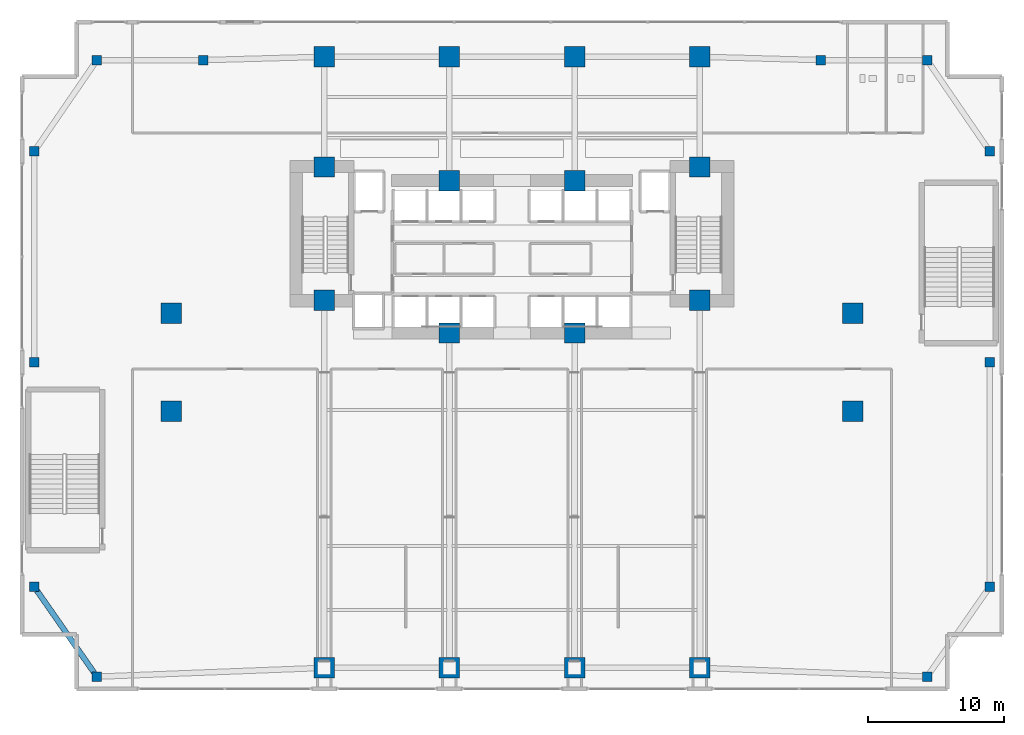
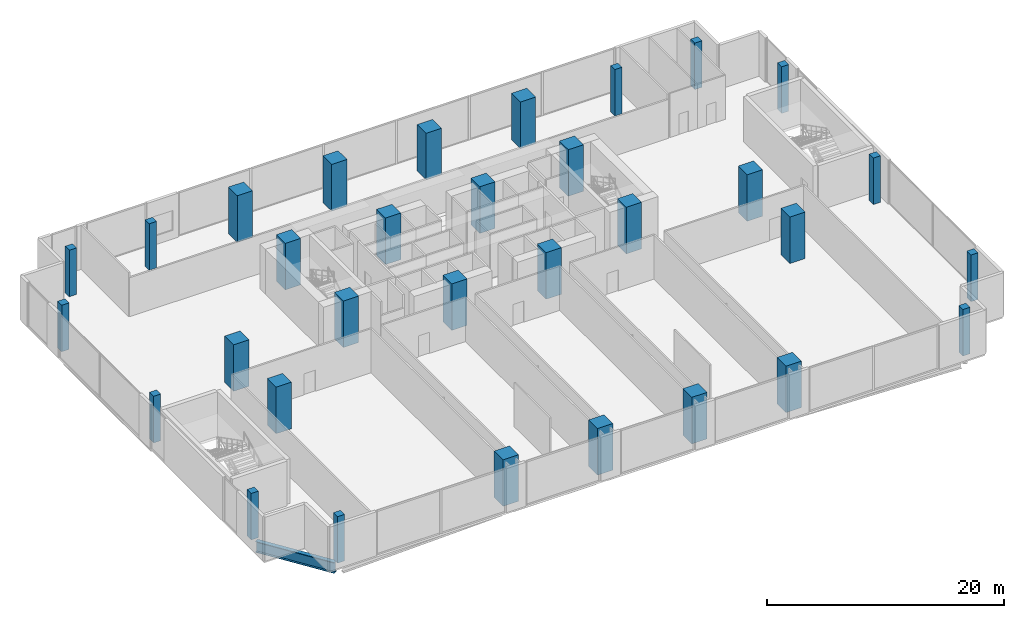
# One storey, part 1 of 33: 32 columns, 1 beam.
"""IFC4 building model written with IfcOpenShell, lengths in metres."""

from ifc_helpers import new_model, si_unit, direction, frame, origin, origin_2d, place, context, subcontext, project, spatial, rectangle, i_section, extrude, material, material_profile, profile_set, type_object, element, save


model = new_model("IFC4")

# Units and contexts
model_context = context("Model", 3, precision=1e-05, world=origin(), true_north=direction((0.0, 1.0)))
body_context = subcontext(model_context, "Body", "Model", "MODEL_VIEW")
ifc_project = project(units=[si_unit("LENGTHUNIT", "METRE"), si_unit("AREAUNIT", "SQUARE_METRE"), si_unit("VOLUMEUNIT", "CUBIC_METRE"), si_unit("PLANEANGLEUNIT", "RADIAN"), si_unit("MASSUNIT", "GRAM", prefix="KILO")], contexts=[model_context])

# Site, building, storey
site_placement = place(None, origin())
site = spatial("IfcSite", under=ifc_project, at=site_placement, CompositionType="ELEMENT")
building_placement = place(site_placement, origin())
building = spatial("IfcBuilding", under=site, at=building_placement, Name="Zuhayl Quay Hotel", CompositionType="ELEMENT")
storey_placement = place(building_placement, frame((0.0, 0.0, 18.0)))
storey = spatial("IfcBuildingStorey", under=building, at=storey_placement, Name="L03", CompositionType="ELEMENT", Elevation=18.0)

# Columns
ifc_material_1 = material(Name="Concrete C70/85", Category="concrete")
ifc_material_profile_1 = material_profile(ifc_material_1, rectangle(XDim=1.5, YDim=1.5, at=origin_2d()), Name="RC1500X1500")
ifc_profile_set_1 = profile_set([ifc_material_profile_1], Name="Concrete C70/85")
column_type_1 = type_object("IfcColumnType", Name="CL_CC1_1500", PredefinedType="COLUMN", material=ifc_profile_set_1)
for number, where, z_axis, x_axis, name in (
    (1, (-13.800048828125, 14.35009765625, 0.0), (0.0, 0.0, 1.0), (1.0, 0.0, 0.0), "L03 Core Column CC_NW"),
    (2, (-4.60009765625, 13.35009765625, 0.0), (0.0, 0.0, 1.0), (1.0, 0.0, 0.0), "L03 Core Column CC_CNW"),
    (3, (4.60009765625, 13.35009765625, 0.0), (0.0, 0.0, 1.0), (1.0, 0.0, 0.0), "L03 Core Column CC_CNE"),
    (4, (13.800048828125, 14.35009765625, 0.0), (0.0, 0.0, 1.0), (1.0, 0.0, 0.0), "L03 Core Column CC_NE"),
    (5, (-13.800048828125, 4.550048828125, 0.0), (0.0, 0.0, 1.0), (1.0, 0.0, 0.0), "L03 Core Column CC_SW"),
    (6, (-4.60009765625, 2.14990234375, 0.0), (0.0, 0.0, 1.0), (1.0, 0.0, 0.0), "L03 Core Column CC_CSW"),
    (7, (4.60009765625, 2.14990234375, 0.0), (0.0, 0.0, 1.0), (1.0, 0.0, 0.0), "L03 Core Column CC_CSE"),
    (8, (13.800048828125, 4.550048828125, 0.0), (0.0, 0.0, 1.0), (1.0, 0.0, 0.0), "L03 Core Column CC_SE"),
):
    element("IfcColumn", number, at=place(storey_placement, frame(where, z_axis=z_axis, x_axis=x_axis)), inside=storey, type_object=column_type_1, Name=name, PredefinedType="COLUMN", context=body_context, shape_type="SweptSolid", body=[
        extrude(rectangle(XDim=1.5, YDim=1.5, at=origin_2d()), origin(), (0.0, 0.0, 1.0), 4.800048828125),
    ])
ifc_material_profile_2 = material_profile(ifc_material_1, rectangle(XDim=1.5, YDim=1.5, at=origin_2d()), Name="RC1500X1500")
ifc_profile_set_2 = profile_set([ifc_material_profile_2], Name="Concrete C70/85")
column_type_2 = type_object("IfcColumnType", Name="CL_MC1_1500", PredefinedType="COLUMN", material=ifc_profile_set_2)
for number, where, z_axis, x_axis, name in (
    (9, (-13.800048828125, -22.449951171875, 0.0), (0.0, 0.0, 1.0), (1.0, 0.0, 0.0), "L03 Mega-Column MC_S1"),
    (10, (-4.60009765625, -22.449951171875, 0.0), (0.0, 0.0, 1.0), (1.0, 0.0, 0.0), "L03 Mega-Column MC_S2"),
    (11, (4.60009765625, -22.449951171875, 0.0), (0.0, 0.0, 1.0), (1.0, 0.0, 0.0), "L03 Mega-Column MC_S3"),
    (12, (13.800048828125, -22.449951171875, 0.0), (0.0, 0.0, 1.0), (1.0, 0.0, 0.0), "L03 Mega-Column MC_S4"),
    (13, (-13.800048828125, 22.449951171875, 0.0), (0.0, 0.0, 1.0), (1.0, 0.0, 0.0), "L03 Mega-Column MC_N1"),
    (14, (-4.60009765625, 22.449951171875, 0.0), (0.0, 0.0, 1.0), (1.0, 0.0, 0.0), "L03 Mega-Column MC_N2"),
    (15, (4.60009765625, 22.449951171875, 0.0), (0.0, 0.0, 1.0), (1.0, 0.0, 0.0), "L03 Mega-Column MC_N3"),
    (16, (13.800048828125, 22.449951171875, 0.0), (0.0, 0.0, 1.0), (1.0, 0.0, 0.0), "L03 Mega-Column MC_N4"),
    (17, (-25.050048828125, -3.60009765625, 0.0), (0.0, 0.0, 1.0), (1.0, 0.0, 0.0), "L03 Mega-Column MC_W1"),
    (18, (-25.050048828125, 3.60009765625, 0.0), (0.0, 0.0, 1.0), (1.0, 0.0, 0.0), "L03 Mega-Column MC_W2"),
    (19, (25.050048828125, -3.60009765625, 0.0), (0.0, 0.0, 1.0), (1.0, 0.0, 0.0), "L03 Mega-Column MC_E1"),
    (20, (25.050048828125, 3.60009765625, 0.0), (0.0, 0.0, 1.0), (1.0, 0.0, 0.0), "L03 Mega-Column MC_E2"),
):
    element("IfcColumn", number, at=place(storey_placement, frame(where, z_axis=z_axis, x_axis=x_axis)), inside=storey, type_object=column_type_2, Name=name, PredefinedType="COLUMN", context=body_context, shape_type="SweptSolid", body=[
        extrude(rectangle(XDim=1.5, YDim=1.5, at=origin_2d()), origin(), (0.0, 0.0, 1.0), 4.800048828125),
    ])
ifc_material_2 = material(Name="Concrete C50/60", Category="concrete")
ifc_material_profile_3 = material_profile(ifc_material_2, rectangle(XDim=0.699951171875, YDim=0.699951171875, at=origin_2d()), Name="RC700X700")
ifc_profile_set_3 = profile_set([ifc_material_profile_3], Name="Concrete C50/60")
column_type_3 = type_object("IfcColumnType", Name="CL_PC2_700", PredefinedType="COLUMN", material=ifc_profile_set_3)
for number, where, z_axis, x_axis, name in (
    (21, (-30.5, -23.10009765625, 0.0), (0.0, 0.0, 1.0), (1.0, 0.0, 0.0), "L03 Podium Column PC_SW"),
    (22, (30.5, -23.10009765625, 0.0), (0.0, 0.0, 1.0), (1.0, 0.0, 0.0), "L03 Podium Column PC_SE"),
    (23, (-30.5, 22.199951171875, 0.0), (0.0, 0.0, 1.0), (1.0, 0.0, 0.0), "L03 Podium Column PC_NW"),
    (24, (30.5, 22.199951171875, 0.0), (0.0, 0.0, 1.0), (1.0, 0.0, 0.0), "L03 Podium Column PC_NE"),
    (25, (-35.10009765625, -16.5, 0.0), (0.0, 0.0, 1.0), (1.0, 0.0, 0.0), "L03 Podium Column PC_W1"),
    (26, (-35.10009765625, 0.0, 0.0), (0.0, 0.0, 1.0), (1.0, 0.0, 0.0), "L03 Podium Column PC_W2"),
    (27, (-35.10009765625, 15.5, 0.0), (0.0, 0.0, 1.0), (1.0, 0.0, 0.0), "L03 Podium Column PC_W3"),
    (28, (35.10009765625, -16.5, 0.0), (0.0, 0.0, 1.0), (1.0, 0.0, 0.0), "L03 Podium Column PC_E1"),
    (29, (35.10009765625, 0.0, 0.0), (0.0, 0.0, 1.0), (1.0, 0.0, 0.0), "L03 Podium Column PC_E2"),
    (30, (35.10009765625, 15.5, 0.0), (0.0, 0.0, 1.0), (1.0, 0.0, 0.0), "L03 Podium Column PC_E3"),
    (31, (-22.699951171875, 22.199951171875, 0.0), (0.0, 0.0, 1.0), (1.0, 0.0, 0.0), "L03 Podium Column PC_N1"),
    (32, (22.699951171875, 22.199951171875, 0.0), (0.0, 0.0, 1.0), (1.0, 0.0, 0.0), "L03 Podium Column PC_N2"),
):
    element("IfcColumn", number, at=place(storey_placement, frame(where, z_axis=z_axis, x_axis=x_axis)), inside=storey, type_object=column_type_3, Name=name, PredefinedType="COLUMN", context=body_context, shape_type="SweptSolid", body=[
        extrude(rectangle(XDim=0.699951171875, YDim=0.699951171875, at=origin_2d()), origin(), (0.0, 0.0, 1.0), 4.800048828125),
    ])

# Beam
ifc_material_3 = material(Name="Steel ASTM A913 Grade 65", Category="steel")
ifc_material_profile_4 = material_profile(ifc_material_3, i_section(OverallWidth=0.404052734375, OverallDepth=1.117919921875, WebThickness=0.026123046875, FlangeThickness=0.044921875, at=origin_2d()), Name="W44X335")
ifc_profile_set_4 = profile_set([ifc_material_profile_4], Name="Steel ASTM A913 Grade 65")
beam_type = type_object("IfcBeamType", Name="BM_TG1_W44X335", PredefinedType="BEAM", material=ifc_profile_set_4)
beam_placement = place(storey_placement, frame((-30.6943359375, -22.821044921875, -0.819091796875), z_axis=(-0.571785900762, 0.820402878889, 0.0), x_axis=(-0.820402878889, -0.571785900762, 0.0)))
element("IfcBeam", 33, at=beam_placement, inside=storey, type_object=beam_type, Name="L03 Floor Beam PG_W_L03_0", PredefinedType="BEAM", context=body_context, shape_type="SweptSolid", body=[
    extrude(i_section(OverallWidth=0.404052734375, OverallDepth=1.117919921875, WebThickness=0.026123046875, FlangeThickness=0.044921875, at=origin_2d()), origin(), (0.0, 0.0, 1.0), 7.364990234375),
])

save(model, "model.ifc")
